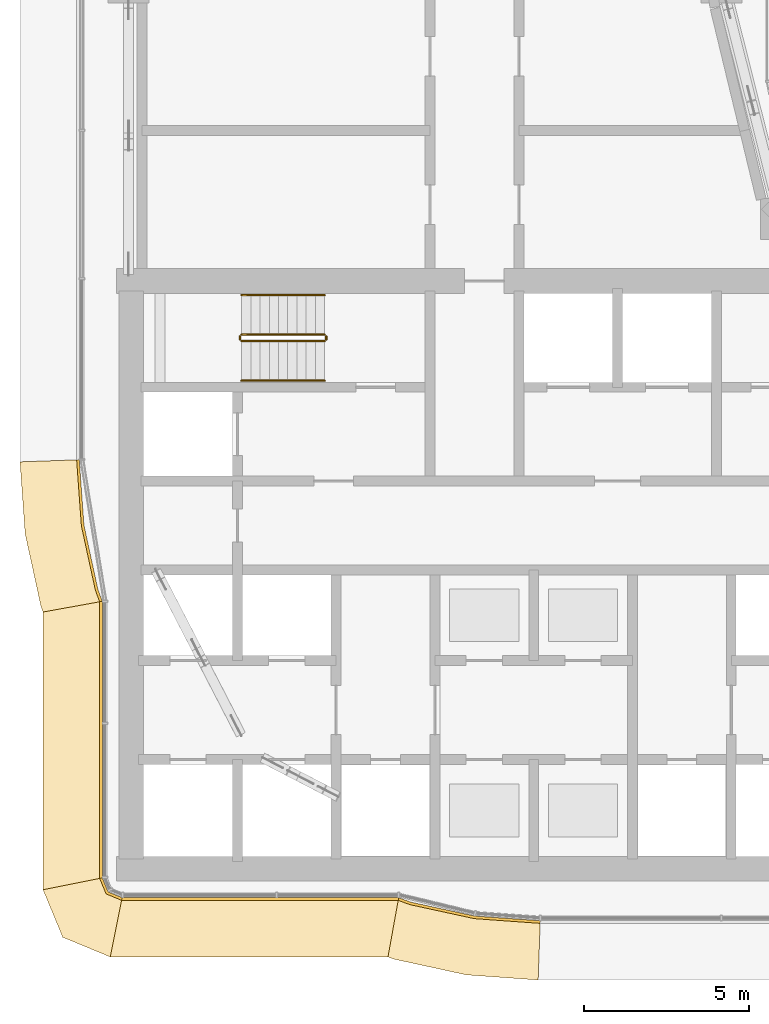
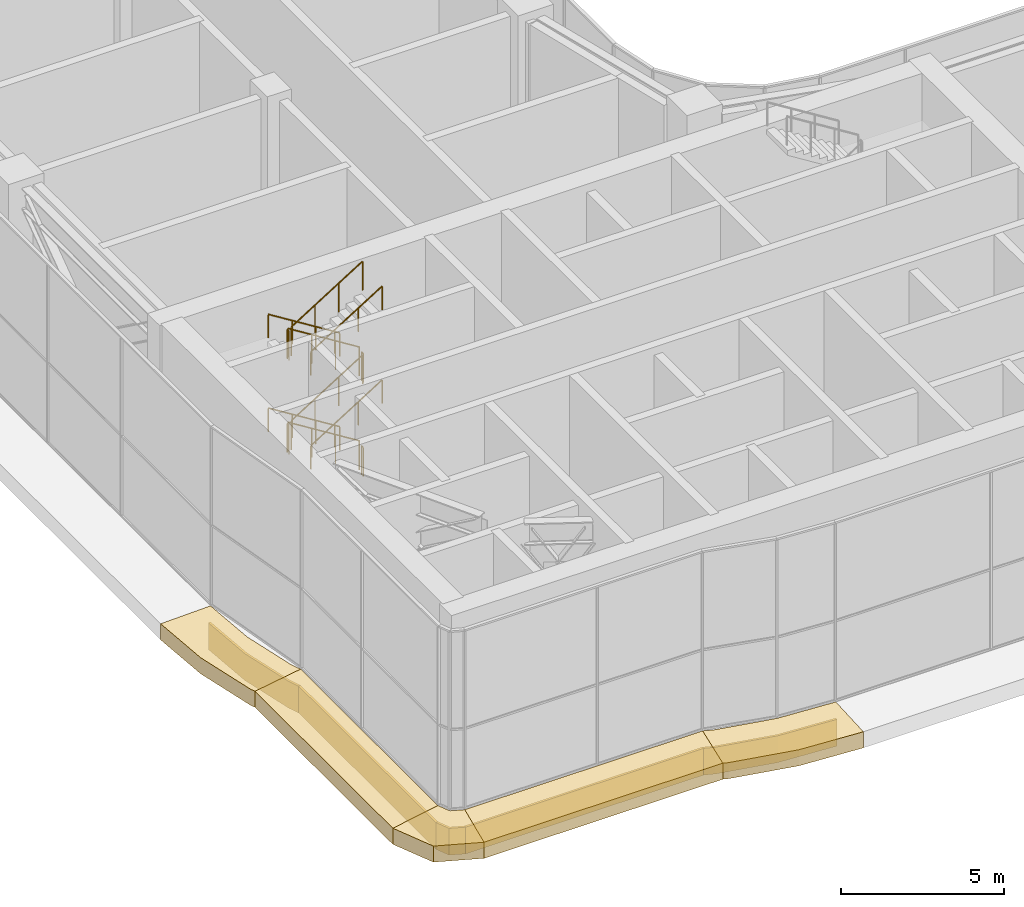
# One storey, part 27 of 35: 12 railings, 10 coverings.
"""IFC4 building model written with IfcOpenShell, lengths in metres."""

from ifc_helpers import new_model, si_unit, direction, frame, origin, origin_2d, place, context, subcontext, project, spatial, polyline, circle, outline, extrude, material, layer, layer_set, type_object, element, save


model = new_model("IFC4")

# Units and contexts
model_context = context("Model", 3, precision=1e-05, world=origin(), true_north=direction((0.0, 1.0)))
body_context = subcontext(model_context, "Body", "Model", "MODEL_VIEW")
ifc_project = project(units=[si_unit("LENGTHUNIT", "METRE"), si_unit("AREAUNIT", "SQUARE_METRE"), si_unit("VOLUMEUNIT", "CUBIC_METRE"), si_unit("PLANEANGLEUNIT", "RADIAN"), si_unit("MASSUNIT", "GRAM", prefix="KILO")], contexts=[model_context])

# Site, building, storey
site_placement = place(None, origin())
site = spatial("IfcSite", under=ifc_project, at=site_placement, CompositionType="ELEMENT")
building_placement = place(site_placement, origin())
building = spatial("IfcBuilding", under=site, at=building_placement, Name="Ogive Portal Towers", CompositionType="ELEMENT")
storey_placement = place(building_placement, frame((0.0, 0.0, 135.199951171875)))
storey = spatial("IfcBuildingStorey", under=building, at=storey_placement, Name="L33", CompositionType="ELEMENT", Elevation=135.199951171875)

# Railings
ifc_material_1 = material(Name="Stainless steel balustrade", Category="steel")
railing_type_1 = type_object("IfcRailingType", Name="INT-GUARD", PredefinedType="GUARDRAIL", material=ifc_material_1)
railing_1_placement = place(storey_placement, frame((37.449951171875, 37.800048828125, 0.175048828125)))
element("IfcRailing", 1, at=railing_1_placement, inside=storey, type_object=railing_type_1, Name="L33 ST-A1 stair guard 1", PredefinedType="GUARDRAIL", context=body_context, shape_type="SweptSolid", body=[
    extrude(circle(Radius=0.02392578125, at=origin_2d()), frame((0.0, 0.0, 1.076171875), z_axis=(-0.848007534815, 0.0, 0.529984170421), x_axis=(0.0, -1.0, 0.0)), (0.0, 0.0, 1.0), 2.9716796875),
    extrude(circle(Radius=0.02099609375, at=origin_2d()), origin(), (0.0, 0.0, 1.0), 1.052001953125),
    extrude(circle(Radius=0.02099609375, at=origin_2d()), frame((-0.840087890625, 0.0, 0.52490234375)), (0.0, 0.0, 1.0), 1.052001953125),
    extrude(circle(Radius=0.02099609375, at=origin_2d()), frame((-1.679931640625, 0.0, 1.050048828125)), (0.0, 0.0, 1.0), 1.052001953125),
    extrude(circle(Radius=0.02099609375, at=origin_2d()), frame((-2.52001953125, 0.0, 1.574951171875)), (0.0, 0.0, 1.0), 1.052001953125),
])
railing_2_placement = place(storey_placement, frame((34.8798828125, 37.75, 1.75)))
element("IfcRailing", 2, at=railing_2_placement, inside=storey, type_object=railing_type_1, Name="L33 ST-A1 stair guard 2", PredefinedType="GUARDRAIL", context=body_context, shape_type="SweptSolid", body=[
    extrude(circle(Radius=0.02392578125, at=origin_2d()), frame((0.0, 0.0, 1.076171875), z_axis=(0.0, -1.0, 0.0), x_axis=(1.0, 0.0, 0.0)), (0.0, 0.0, 1.0), 0.10009765625),
    extrude(circle(Radius=0.02099609375, at=origin_2d()), origin(), (0.0, 0.0, 1.0), 1.052001953125),
    extrude(circle(Radius=0.02099609375, at=origin_2d()), frame((0.0, -0.10009765625, 0.0)), (0.0, 0.0, 1.0), 1.052001953125),
])
railing_3_placement = place(storey_placement, frame((34.929931640625, 37.60009765625, 1.925048828125)))
element("IfcRailing", 3, at=railing_3_placement, inside=storey, type_object=railing_type_1, Name="L33 ST-A1 stair guard 3", PredefinedType="GUARDRAIL", context=body_context, shape_type="SweptSolid", body=[
    extrude(circle(Radius=0.02392578125, at=origin_2d()), frame((0.0, 0.0, 1.076171875), z_axis=(0.848007534815, 0.0, 0.529984170421), x_axis=(0.0, 1.0, 0.0)), (0.0, 0.0, 1.0), 2.9716796875),
    extrude(circle(Radius=0.02099609375, at=origin_2d()), origin(), (0.0, 0.0, 1.0), 1.052001953125),
    extrude(circle(Radius=0.02099609375, at=origin_2d()), frame((0.840087890625, 0.0, 0.52490234375)), (0.0, 0.0, 1.0), 1.052001953125),
    extrude(circle(Radius=0.02099609375, at=origin_2d()), frame((1.679931640625, 0.0, 1.050048828125)), (0.0, 0.0, 1.0), 1.052001953125),
    extrude(circle(Radius=0.02099609375, at=origin_2d()), frame((2.52001953125, 0.0, 1.574951171875)), (0.0, 0.0, 1.0), 1.052001953125),
])
railing_4_placement = place(storey_placement, frame((37.5, 37.75, 3.5)))
element("IfcRailing", 4, at=railing_4_placement, inside=storey, type_object=railing_type_1, Name="L33 ST-A1 stair guard 4", PredefinedType="GUARDRAIL", context=body_context, shape_type="SweptSolid", body=[
    extrude(circle(Radius=0.02392578125, at=origin_2d()), frame((0.0, 0.0, 1.076171875), z_axis=(0.0, -1.0, 0.0), x_axis=(1.0, 0.0, 0.0)), (0.0, 0.0, 1.0), 0.10009765625),
    extrude(circle(Radius=0.02099609375, at=origin_2d()), origin(), (0.0, 0.0, 1.0), 1.052001953125),
    extrude(circle(Radius=0.02099609375, at=origin_2d()), frame((0.0, -0.10009765625, 0.0)), (0.0, 0.0, 1.0), 1.052001953125),
])
railing_5_placement = place(storey_placement, frame((37.449951171875, 37.800048828125, 3.675048828125)))
element("IfcRailing", 5, at=railing_5_placement, inside=storey, type_object=railing_type_1, Name="L33 ST-A1 stair guard 5", PredefinedType="GUARDRAIL", context=body_context, shape_type="SweptSolid", body=[
    extrude(circle(Radius=0.02392578125, at=origin_2d()), frame((0.0, 0.0, 1.076171875), z_axis=(-0.848007534815, 0.0, 0.529984170421), x_axis=(0.0, -1.0, 0.0)), (0.0, 0.0, 1.0), 2.9716796875),
    extrude(circle(Radius=0.02099609375, at=origin_2d()), origin(), (0.0, 0.0, 1.0), 1.052001953125),
    extrude(circle(Radius=0.02099609375, at=origin_2d()), frame((-0.840087890625, 0.0, 0.52490234375)), (0.0, 0.0, 1.0), 1.052001953125),
    extrude(circle(Radius=0.02099609375, at=origin_2d()), frame((-1.679931640625, 0.0, 1.050048828125)), (0.0, 0.0, 1.0), 1.052001953125),
    extrude(circle(Radius=0.02099609375, at=origin_2d()), frame((-2.52001953125, 0.0, 1.574951171875)), (0.0, 0.0, 1.0), 1.052001953125),
])
railing_6_placement = place(storey_placement, frame((34.8798828125, 37.75, 5.25)))
element("IfcRailing", 6, at=railing_6_placement, inside=storey, type_object=railing_type_1, Name="L33 ST-A1 stair guard 6", PredefinedType="GUARDRAIL", context=body_context, shape_type="SweptSolid", body=[
    extrude(circle(Radius=0.02392578125, at=origin_2d()), frame((0.0, 0.0, 1.076171875), z_axis=(0.0, -1.0, 0.0), x_axis=(1.0, 0.0, 0.0)), (0.0, 0.0, 1.0), 0.10009765625),
    extrude(circle(Radius=0.02099609375, at=origin_2d()), origin(), (0.0, 0.0, 1.0), 1.052001953125),
    extrude(circle(Radius=0.02099609375, at=origin_2d()), frame((0.0, -0.10009765625, 0.0)), (0.0, 0.0, 1.0), 1.052001953125),
])
railing_7_placement = place(storey_placement, frame((34.929931640625, 37.60009765625, 5.425048828125)))
element("IfcRailing", 7, at=railing_7_placement, inside=storey, type_object=railing_type_1, Name="L33 ST-A1 stair guard 7", PredefinedType="GUARDRAIL", context=body_context, shape_type="SweptSolid", body=[
    extrude(circle(Radius=0.02392578125, at=origin_2d()), frame((0.0, 0.0, 1.076171875), z_axis=(0.848007534815, 0.0, 0.529984170421), x_axis=(0.0, 1.0, 0.0)), (0.0, 0.0, 1.0), 2.9716796875),
    extrude(circle(Radius=0.02099609375, at=origin_2d()), origin(), (0.0, 0.0, 1.0), 1.052001953125),
    extrude(circle(Radius=0.02099609375, at=origin_2d()), frame((0.840087890625, 0.0, 0.52490234375)), (0.0, 0.0, 1.0), 1.052001953125),
    extrude(circle(Radius=0.02099609375, at=origin_2d()), frame((1.679931640625, 0.0, 1.050048828125)), (0.0, 0.0, 1.0), 1.052001953125),
    extrude(circle(Radius=0.02099609375, at=origin_2d()), frame((2.52001953125, 0.0, 1.574951171875)), (0.0, 0.0, 1.0), 1.052001953125),
])
railing_8_placement = place(storey_placement, frame((37.5, 37.75, 0.0)))
element("IfcRailing", 8, at=railing_8_placement, inside=storey, type_object=railing_type_1, Name="L33 ST-A1 stair guard 8", PredefinedType="GUARDRAIL", context=body_context, shape_type="SweptSolid", body=[
    extrude(circle(Radius=0.02392578125, at=origin_2d()), frame((0.0, 0.0, 1.076171875), z_axis=(0.0, -1.0, 0.0), x_axis=(1.0, 0.0, 0.0)), (0.0, 0.0, 1.0), 0.10009765625),
    extrude(circle(Radius=0.02099609375, at=origin_2d()), origin(), (0.0, 0.0, 1.0), 1.052001953125),
    extrude(circle(Radius=0.02099609375, at=origin_2d()), frame((0.0, -0.10009765625, 0.0)), (0.0, 0.0, 1.0), 1.052001953125),
])
ifc_material_2 = material(Name="Stainless steel handrail", Category="steel")
railing_type_2 = type_object("IfcRailingType", Name="INT-HANDRAIL", PredefinedType="HANDRAIL", material=ifc_material_2)
railing_9_placement = place(storey_placement, frame((37.449951171875, 39.0, 0.175048828125)))
element("IfcRailing", 9, at=railing_9_placement, inside=storey, type_object=railing_type_2, Name="L33 ST-A1 stair handrail 1", PredefinedType="HANDRAIL", context=body_context, shape_type="SweptSolid", body=[
    extrude(circle(Radius=0.02392578125, at=origin_2d()), frame((0.0, 0.0, 0.8759765625), z_axis=(-0.848007534815, 0.0, 0.529984170421), x_axis=(0.0, -1.0, 0.0)), (0.0, 0.0, 1.0), 2.9716796875),
    extrude(circle(Radius=0.02099609375, at=origin_2d()), origin(), (0.0, 0.0, 1.0), 0.851806640625),
    extrude(circle(Radius=0.02099609375, at=origin_2d()), frame((-0.840087890625, 0.0, 0.52490234375)), (0.0, 0.0, 1.0), 0.851806640625),
    extrude(circle(Radius=0.02099609375, at=origin_2d()), frame((-1.679931640625, 0.0, 1.050048828125)), (0.0, 0.0, 1.0), 0.851806640625),
    extrude(circle(Radius=0.02099609375, at=origin_2d()), frame((-2.52001953125, 0.0, 1.574951171875)), (0.0, 0.0, 1.0), 0.851806640625),
])
railing_10_placement = place(storey_placement, frame((34.929931640625, 36.39990234375, 1.925048828125)))
element("IfcRailing", 10, at=railing_10_placement, inside=storey, type_object=railing_type_2, Name="L33 ST-A1 stair handrail 2", PredefinedType="HANDRAIL", context=body_context, shape_type="SweptSolid", body=[
    extrude(circle(Radius=0.02392578125, at=origin_2d()), frame((0.0, 0.0, 0.8759765625), z_axis=(0.848007534815, 0.0, 0.529984170421), x_axis=(0.0, 1.0, 0.0)), (0.0, 0.0, 1.0), 2.9716796875),
    extrude(circle(Radius=0.02099609375, at=origin_2d()), origin(), (0.0, 0.0, 1.0), 0.851806640625),
    extrude(circle(Radius=0.02099609375, at=origin_2d()), frame((0.840087890625, 0.0, 0.52490234375)), (0.0, 0.0, 1.0), 0.851806640625),
    extrude(circle(Radius=0.02099609375, at=origin_2d()), frame((1.679931640625, 0.0, 1.050048828125)), (0.0, 0.0, 1.0), 0.851806640625),
    extrude(circle(Radius=0.02099609375, at=origin_2d()), frame((2.52001953125, 0.0, 1.574951171875)), (0.0, 0.0, 1.0), 0.851806640625),
])
railing_11_placement = place(storey_placement, frame((37.449951171875, 39.0, 3.675048828125)))
element("IfcRailing", 11, at=railing_11_placement, inside=storey, type_object=railing_type_2, Name="L33 ST-A1 stair handrail 3", PredefinedType="HANDRAIL", context=body_context, shape_type="SweptSolid", body=[
    extrude(circle(Radius=0.02392578125, at=origin_2d()), frame((0.0, 0.0, 0.8759765625), z_axis=(-0.848007534815, 0.0, 0.529984170421), x_axis=(0.0, -1.0, 0.0)), (0.0, 0.0, 1.0), 2.9716796875),
    extrude(circle(Radius=0.02099609375, at=origin_2d()), origin(), (0.0, 0.0, 1.0), 0.851806640625),
    extrude(circle(Radius=0.02099609375, at=origin_2d()), frame((-0.840087890625, 0.0, 0.52490234375)), (0.0, 0.0, 1.0), 0.851806640625),
    extrude(circle(Radius=0.02099609375, at=origin_2d()), frame((-1.679931640625, 0.0, 1.050048828125)), (0.0, 0.0, 1.0), 0.851806640625),
    extrude(circle(Radius=0.02099609375, at=origin_2d()), frame((-2.52001953125, 0.0, 1.574951171875)), (0.0, 0.0, 1.0), 0.851806640625),
])
railing_12_placement = place(storey_placement, frame((34.929931640625, 36.39990234375, 5.425048828125)))
element("IfcRailing", 12, at=railing_12_placement, inside=storey, type_object=railing_type_2, Name="L33 ST-A1 stair handrail 4", PredefinedType="HANDRAIL", context=body_context, shape_type="SweptSolid", body=[
    extrude(circle(Radius=0.02392578125, at=origin_2d()), frame((0.0, 0.0, 0.8759765625), z_axis=(0.848007534815, 0.0, 0.529984170421), x_axis=(0.0, 1.0, 0.0)), (0.0, 0.0, 1.0), 2.9716796875),
    extrude(circle(Radius=0.02099609375, at=origin_2d()), origin(), (0.0, 0.0, 1.0), 0.851806640625),
    extrude(circle(Radius=0.02099609375, at=origin_2d()), frame((0.840087890625, 0.0, 0.52490234375)), (0.0, 0.0, 1.0), 0.851806640625),
    extrude(circle(Radius=0.02099609375, at=origin_2d()), frame((1.679931640625, 0.0, 1.050048828125)), (0.0, 0.0, 1.0), 0.851806640625),
    extrude(circle(Radius=0.02099609375, at=origin_2d()), frame((2.52001953125, 0.0, 1.574951171875)), (0.0, 0.0, 1.0), 0.851806640625),
])

# Coverings
ifc_material_3 = material(Name="Limestone cladding on lightweight block wall", Category="masonry")
ifc_layer_1 = layer(ifc_material_3, 0.080078125)
ifc_layer_set_1 = layer_set([ifc_layer_1], Name="STONE SPANDREL 80")
covering_type_1 = type_object("IfcCoveringType", Name="STONE SPANDREL 80", PredefinedType="CLADDING", material=ifc_layer_set_1)
covering_1_placement = place(storey_placement, frame((0.0, 0.0, -1.599853515625)))
element("IfcCovering", 13, at=covering_1_placement, inside=storey, type_object=covering_type_1, Name="Stone spandrel A1-F01", PredefinedType="CLADDING", context=body_context, shape_type="SweptSolid", body=[
    extrude(outline(polyline([(30.699951171875, 29.699462890625), (30.699951171875, 21.300048828125), (30.6201171875, 21.2841796875), (30.6201171875, 29.68505859375), (30.699951171875, 29.699462890625)])), origin(), (0.0, 0.0, 1.0), 1.0),
])
covering_2_placement = place(storey_placement, frame((0.0, 0.0, -1.599853515625)))
element("IfcCovering", 14, at=covering_2_placement, inside=storey, type_object=covering_type_1, Name="Stone spandrel A1-F02", PredefinedType="CLADDING", context=body_context, shape_type="SweptSolid", body=[
    extrude(outline(polyline([(30.699951171875, 21.300048828125), (30.875732421875, 20.875732421875), (31.300048828125, 20.699951171875), (31.2841796875, 20.6201171875), (30.814453125, 20.814453125), (30.6201171875, 21.2841796875), (30.699951171875, 21.300048828125)])), origin(), (0.0, 0.0, 1.0), 1.0),
])
covering_3_placement = place(storey_placement, frame((0.0, 0.0, -1.599853515625)))
element("IfcCovering", 15, at=covering_3_placement, inside=storey, type_object=covering_type_1, Name="Stone spandrel A1-F03", PredefinedType="CLADDING", context=body_context, shape_type="SweptSolid", body=[
    extrude(outline(polyline([(31.300048828125, 20.699951171875), (39.699462890625, 20.699951171875), (39.68505859375, 20.6201171875), (31.2841796875, 20.6201171875), (31.300048828125, 20.699951171875)])), origin(), (0.0, 0.0, 1.0), 1.0),
])
covering_4_placement = place(storey_placement, frame((0.0, 0.0, -1.599853515625)))
element("IfcCovering", 16, at=covering_4_placement, inside=storey, type_object=covering_type_1, Name="Stone spandrel A1-F04", PredefinedType="CLADDING", context=body_context, shape_type="SweptSolid", body=[
    extrude(outline(polyline([(39.699462890625, 20.699951171875), (40.0556640625, 20.567138671875), (42.007568359375, 20.142578125), (44.0, 20.0), (43.9970703125, 19.919921875), (41.99609375, 20.063232421875), (40.033203125, 20.490234375), (39.68505859375, 20.6201171875), (39.699462890625, 20.699951171875)])), origin(), (0.0, 0.0, 1.0), 1.0),
])
covering_5_placement = place(storey_placement, frame((0.0, 0.0, -1.599853515625)))
element("IfcCovering", 17, at=covering_5_placement, inside=storey, type_object=covering_type_1, Name="Stone spandrel A1-F14", PredefinedType="CLADDING", context=body_context, shape_type="SweptSolid", body=[
    extrude(outline(polyline([(30.0, 34.0), (30.142578125, 32.007568359375), (30.567138671875, 30.0556640625), (30.699951171875, 29.699462890625), (30.6201171875, 29.68505859375), (30.490234375, 30.033203125), (30.063232421875, 31.99609375), (29.919921875, 33.9970703125), (30.0, 34.0)])), origin(), (0.0, 0.0, 1.0), 1.0),
])
ifc_layer_2 = layer(ifc_material_3, 0.60009765625)
ifc_layer_set_2 = layer_set([ifc_layer_2], Name="SUNSHADE LIP 600")
covering_type_2 = type_object("IfcCoveringType", Name="SUNSHADE LIP 600", PredefinedType="CLADDING", material=ifc_layer_set_2)
covering_6_placement = place(storey_placement, frame((0.0, 0.0, -0.599853515625)))
element("IfcCovering", 18, at=covering_6_placement, inside=storey, type_object=covering_type_2, Name="Sunshade lip A1-F01", PredefinedType="CLADDING", context=body_context, shape_type="SweptSolid", body=[
    extrude(outline(polyline([(30.699951171875, 29.699462890625), (30.699951171875, 21.300048828125), (28.89990234375, 20.94189453125), (28.89990234375, 29.374755859375), (30.699951171875, 29.699462890625)])), origin(), (0.0, 0.0, 1.0), 0.599853515625),
])
covering_7_placement = place(storey_placement, frame((0.0, 0.0, -0.599853515625)))
element("IfcCovering", 19, at=covering_7_placement, inside=storey, type_object=covering_type_2, Name="Sunshade lip A1-F02", PredefinedType="CLADDING", context=body_context, shape_type="SweptSolid", body=[
    extrude(outline(polyline([(30.699951171875, 21.300048828125), (30.875732421875, 20.875732421875), (31.300048828125, 20.699951171875), (30.94189453125, 18.89990234375), (29.498046875, 19.498046875), (28.89990234375, 20.94189453125), (30.699951171875, 21.300048828125)])), origin(), (0.0, 0.0, 1.0), 0.599853515625),
])
covering_8_placement = place(storey_placement, frame((0.0, 0.0, -0.599853515625)))
element("IfcCovering", 20, at=covering_8_placement, inside=storey, type_object=covering_type_2, Name="Sunshade lip A1-F03", PredefinedType="CLADDING", context=body_context, shape_type="SweptSolid", body=[
    extrude(outline(polyline([(31.300048828125, 20.699951171875), (39.699462890625, 20.699951171875), (39.374755859375, 18.89990234375), (30.94189453125, 18.89990234375), (31.300048828125, 20.699951171875)])), origin(), (0.0, 0.0, 1.0), 0.599853515625),
])
covering_9_placement = place(storey_placement, frame((0.0, 0.0, -0.599853515625)))
element("IfcCovering", 21, at=covering_9_placement, inside=storey, type_object=covering_type_2, Name="Sunshade lip A1-F04", PredefinedType="CLADDING", context=body_context, shape_type="SweptSolid", body=[
    extrude(outline(polyline([(39.699462890625, 20.699951171875), (40.0556640625, 20.567138671875), (42.007568359375, 20.142578125), (44.0, 20.0), (43.935791015625, 18.199951171875), (41.750732421875, 18.356201171875), (39.54736328125, 18.835693359375), (39.374755859375, 18.89990234375), (39.699462890625, 20.699951171875)])), origin(), (0.0, 0.0, 1.0), 0.599853515625),
])
covering_10_placement = place(storey_placement, frame((0.0, 0.0, -0.599853515625)))
element("IfcCovering", 22, at=covering_10_placement, inside=storey, type_object=covering_type_2, Name="Sunshade lip A1-F14", PredefinedType="CLADDING", context=body_context, shape_type="SweptSolid", body=[
    extrude(outline(polyline([(30.0, 34.0), (30.142578125, 32.007568359375), (30.567138671875, 30.0556640625), (30.699951171875, 29.699462890625), (28.89990234375, 29.374755859375), (28.835693359375, 29.54736328125), (28.356201171875, 31.750732421875), (28.199951171875, 33.935791015625), (30.0, 34.0)])), origin(), (0.0, 0.0, 1.0), 0.599853515625),
])

save(model, "model.ifc")
